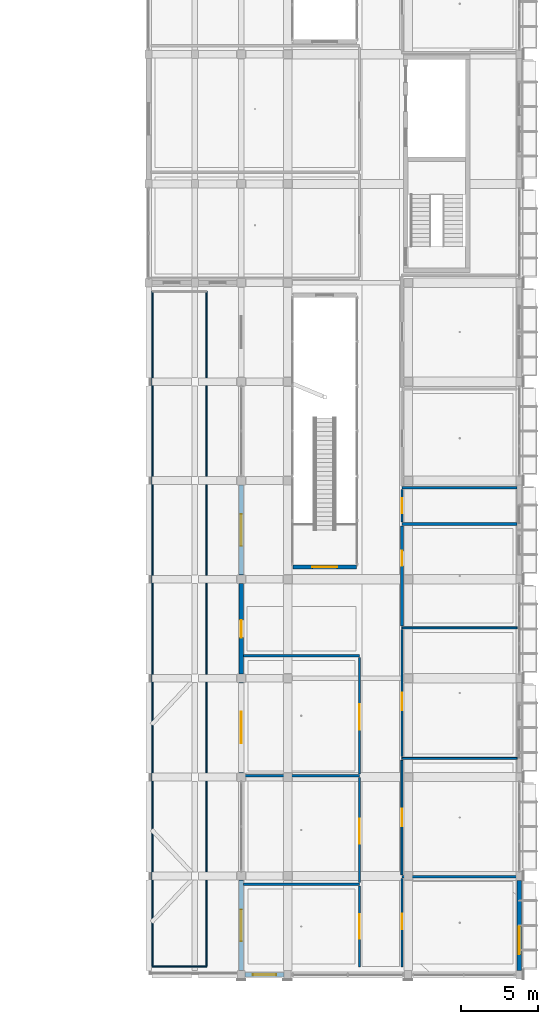
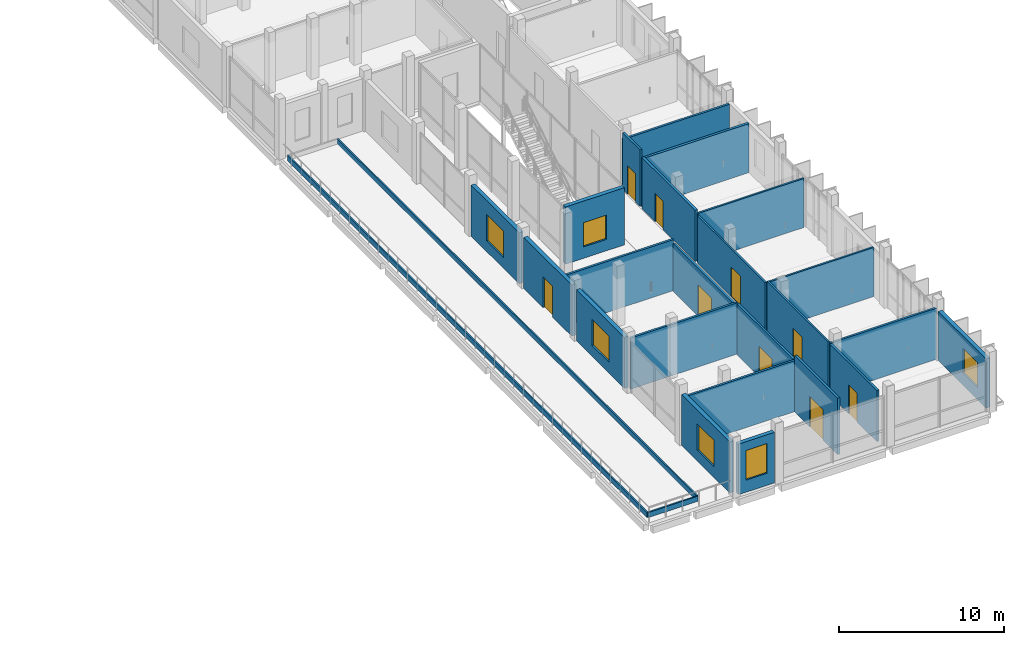
# One storey, part 61 of 95: 26 walls, 9 doors, 6 windows, 15 openings.
"""IFC4 building model written with IfcOpenShell, lengths in metres."""

from ifc_helpers import new_model, si_unit, derived_unit, direction, frame, frame_2d, origin, origin_with_axes, place, context, subcontext, project, spatial, rectangle, extrude, material, layer, layer_set, type_object, element, fill, save


model = new_model("IFC4")

# Units and contexts
model_context = context("Model", 3, precision=1e-05, world=origin(), true_north=direction((0.0, 1.0)))
body_context = subcontext(model_context, "Body", "Model", "MODEL_VIEW")
ifc_project = project(units=[si_unit("LENGTHUNIT", "METRE"), si_unit("AREAUNIT", "SQUARE_METRE"), si_unit("VOLUMEUNIT", "CUBIC_METRE"), si_unit("PLANEANGLEUNIT", "RADIAN"), si_unit("MASSUNIT", "GRAM", prefix="KILO"), derived_unit("THERMALTRANSMITTANCEUNIT", [(si_unit("POWERUNIT", "WATT"), 1), (si_unit("LENGTHUNIT", "METRE"), -2), (si_unit("THERMODYNAMICTEMPERATUREUNIT", "KELVIN"), -1)])], contexts=[model_context])

# Site, building, storey
site_placement = place(None, origin())
site = spatial("IfcSite", under=ifc_project, at=site_placement, CompositionType="ELEMENT")
building_placement = place(site_placement, origin())
building = spatial("IfcBuilding", under=site, at=building_placement, Name="Braskholm Square Health Centre", CompositionType="ELEMENT")
storey_placement = place(building_placement, frame((0.0, 0.0, 4.800048828125)))
storey = spatial("IfcBuildingStorey", under=building, at=storey_placement, Name="L02", CompositionType="ELEMENT", Elevation=4.800048828125)

# Wall, opening, door
ifc_material_1 = material(Name="Fire-rated gypsum board barrier")
ifc_layer_1 = layer(ifc_material_1, 0.175048828125)
ifc_layer_set_1 = layer_set([ifc_layer_1], Name="Fire-rated gypsum board barrier")
wall_type_1 = type_object("IfcWallType", Name="AmbulatoryFirePartition175", PredefinedType="PARTITIONING", material=ifc_layer_set_1)
wall_1_placement = place(storey_placement, frame((156.199951171875, 26.780029296875, 0.0), z_axis=(0.0, 0.0, 1.0), x_axis=(0.0, 1.0, 0.0)))
wall_1 = element("IfcWall", 1, at=wall_1_placement, inside=storey, type_object=wall_type_1, Name="Interior partition PWALL-L02-0341", PredefinedType="PARTITIONING", context=body_context, shape_type="SweptSolid", body=[
    extrude(rectangle(XDim=6.489990234375, YDim=0.175048828125, at=frame_2d((3.2451171875, 0.0))), origin(), (0.0, 0.0, 1.0), 3.794921875),
])
opening_1_placement = place(wall_1_placement, frame((3.888916015625, 0.0, 0.0)))
opening_1 = element("IfcOpeningElement", 2, at=opening_1_placement, cuts=wall_1, Name="Opening D-10", PredefinedType="OPENING", context=body_context, shape_type="SweptSolid", body=[
    extrude(rectangle(XDim=0.97998046875, YDim=2.1201171875, at=frame_2d((0.489990234375, 1.06005859375))), frame((0.0, 0.09765625, 0.0), z_axis=(0.0, -1.0, 0.0), x_axis=(1.0, 0.0, 0.0)), (0.0, 0.0, 1.0), 0.195068359375),
])
ifc_material_2 = material(Name="Architectural bronze anodised aluminium", Category="aluminium")
door_type_1 = type_object("IfcDoorType", Name="DoorUtilityStore980x2120", OperationType="NOTDEFINED", PredefinedType="DOOR", material=ifc_material_2)
door_1_placement = place(opening_1_placement, frame((0.97998046875, 0.0, 0.0), z_axis=(0.0, 0.0, 1.0), x_axis=(-1.0, 0.0, 0.0)))
door_1 = element("IfcDoor", 3, at=door_1_placement, inside=storey, type_object=door_type_1, Name="Interior door 0159 L02", OperationType="SINGLE_SWING_RIGHT", OverallHeight=2.1201171875, OverallWidth=0.97998046875, PredefinedType="DOOR", context=body_context, shape_type="SweptSolid", body=[
    extrude(rectangle(XDim=0.97998046875, YDim=2.1201171875, at=frame_2d((0.489990234375, 1.06005859375))), frame((0.0, 0.02490234375, 0.0), z_axis=(0.0, -1.0, 0.0), x_axis=(1.0, 0.0, 0.0)), (0.0, 0.0, 1.0), 0.050048828125),
])
fill(opening_1, door_1)

# Wall
wall_2_placement = place(storey_placement, frame((156.199951171875, 33.389892578125, 0.0), z_axis=(0.0, 0.0, 1.0), x_axis=(1.0, 0.0, 0.0)))
element("IfcWall", 4, at=wall_2_placement, inside=storey, type_object=wall_type_1, Name="Interior partition PWALL-L02-0342", PredefinedType="PARTITIONING", context=body_context, shape_type="SweptSolid", body=[
    extrude(rectangle(XDim=7.4599609375, YDim=0.175048828125, at=frame_2d((3.72998046875, 0.0))), origin(), (0.0, 0.0, 1.0), 3.64501953125),
])

# Wall, opening, door
ifc_material_3 = material(Name="Acoustic gypsum board partition")
ifc_layer_2 = layer(ifc_material_3, 0.125)
ifc_layer_set_2 = layer_set([ifc_layer_2], Name="Acoustic gypsum board partition")
wall_type_2 = type_object("IfcWallType", Name="ClinicalExamPartition125", PredefinedType="PARTITIONING", material=ifc_layer_set_2)
wall_3_placement = place(storey_placement, frame((156.199951171875, 10.669921875, 0.0), z_axis=(0.0, 0.0, 1.0), x_axis=(0.0, 1.0, 0.0)))
wall_3 = element("IfcWall", 5, at=wall_3_placement, inside=storey, type_object=wall_type_2, Name="Interior partition PWALL-L02-0337", PredefinedType="PARTITIONING", context=body_context, shape_type="SweptSolid", body=[
    extrude(rectangle(XDim=7.420166015625, YDim=0.125, at=frame_2d((3.7099609375, 0.0))), origin(), (0.0, 0.0, 1.0), 3.794921875),
])
opening_2_placement = place(wall_3_placement, frame((3.139892578125, 0.0, 0.0)))
opening_2 = element("IfcOpeningElement", 6, at=opening_2_placement, cuts=wall_3, Name="Opening D-26", PredefinedType="OPENING", context=body_context, shape_type="SweptSolid", body=[
    extrude(rectangle(XDim=1.139892578125, YDim=2.219970703125, at=frame_2d((0.56982421875, 1.10986328125))), frame((0.0, 0.072509765625, 0.0), z_axis=(0.0, -1.0, 0.0), x_axis=(1.0, 0.0, 0.0)), (0.0, 0.0, 1.0), 0.14501953125),
])
door_type_2 = type_object("IfcDoorType", Name="DoorExamWide1140x2220", OperationType="NOTDEFINED", PredefinedType="DOOR", material=ifc_material_2)
door_2_placement = place(opening_2_placement, frame((1.139892578125, 0.0, 0.0), z_axis=(0.0, 0.0, 1.0), x_axis=(-1.0, 0.0, 0.0)))
door_2 = element("IfcDoor", 7, at=door_2_placement, inside=storey, type_object=door_type_2, Name="Interior door 0157 L02", OperationType="SINGLE_SWING_RIGHT", OverallHeight=2.219970703125, OverallWidth=1.139892578125, PredefinedType="DOOR", context=body_context, shape_type="SweptSolid", body=[
    extrude(rectangle(XDim=1.139892578125, YDim=2.219970703125, at=frame_2d((0.56982421875, 1.10986328125))), frame((0.0, 0.02490234375, 0.0), z_axis=(0.0, -1.0, 0.0), x_axis=(1.0, 0.0, 0.0)), (0.0, 0.0, 1.0), 0.050048828125),
])
fill(opening_2, door_2)

# Wall
wall_4_placement = place(storey_placement, frame((156.199951171875, 18.2099609375, 0.0), z_axis=(0.0, 0.0, 1.0), x_axis=(1.0, 0.0, 0.0)))
element("IfcWall", 8, at=wall_4_placement, inside=storey, type_object=wall_type_2, Name="Interior partition PWALL-L02-0338", PredefinedType="PARTITIONING", context=body_context, shape_type="SweptSolid", body=[
    extrude(rectangle(XDim=7.4599609375, YDim=0.125, at=frame_2d((3.72998046875, 0.0))), origin(), (0.0, 0.0, 1.0), 3.64501953125),
])

# Wall, opening, door
wall_5_placement = place(storey_placement, frame((156.199951171875, 18.330078125, 0.0), z_axis=(0.0, 0.0, 1.0), x_axis=(0.0, 1.0, 0.0)))
wall_5 = element("IfcWall", 9, at=wall_5_placement, inside=storey, type_object=wall_type_2, Name="Interior partition PWALL-L02-0339", PredefinedType="PARTITIONING", context=body_context, shape_type="SweptSolid", body=[
    extrude(rectangle(XDim=8.2099609375, YDim=0.125, at=frame_2d((4.10498046875, 0.0))), origin(), (0.0, 0.0, 1.0), 3.544921875),
])
opening_3_placement = place(wall_5_placement, frame((3.010009765625, 0.0, 0.0)))
opening_3 = element("IfcOpeningElement", 10, at=opening_3_placement, cuts=wall_5, Name="Opening D-03", PredefinedType="OPENING", context=body_context, shape_type="SweptSolid", body=[
    extrude(rectangle(XDim=1.1201171875, YDim=2.199951171875, at=frame_2d((0.56005859375, 1.10009765625))), frame((0.0, 0.072509765625, 0.0), z_axis=(0.0, -1.0, 0.0), x_axis=(1.0, 0.0, 0.0)), (0.0, 0.0, 1.0), 0.14501953125),
])
door_type_3 = type_object("IfcDoorType", Name="DoorProcedure1120x2200", OperationType="NOTDEFINED", PredefinedType="DOOR", material=ifc_material_2)
door_3_placement = place(opening_3_placement, frame((1.1201171875, 0.0, 0.0), z_axis=(0.0, 0.0, 1.0), x_axis=(-1.0, 0.0, 0.0)))
door_3 = element("IfcDoor", 11, at=door_3_placement, inside=storey, type_object=door_type_3, Name="Interior door 0158 L02", OperationType="SINGLE_SWING_LEFT", OverallHeight=2.199951171875, OverallWidth=1.1201171875, PredefinedType="DOOR", context=body_context, shape_type="SweptSolid", body=[
    extrude(rectangle(XDim=1.1201171875, YDim=2.199951171875, at=frame_2d((0.56005859375, 1.10009765625))), frame((0.0, 0.02490234375, 0.0), z_axis=(0.0, -1.0, 0.0), x_axis=(1.0, 0.0, 0.0)), (0.0, 0.0, 1.0), 0.050048828125),
])
fill(opening_3, door_3)

# Wall
wall_6_placement = place(storey_placement, frame((156.199951171875, 26.659912109375, 0.0), z_axis=(0.0, 0.0, 1.0), x_axis=(1.0, 0.0, 0.0)))
element("IfcWall", 12, at=wall_6_placement, inside=storey, type_object=wall_type_2, Name="Interior partition PWALL-L02-0340", PredefinedType="PARTITIONING", context=body_context, shape_type="SweptSolid", body=[
    extrude(rectangle(XDim=7.4599609375, YDim=0.125, at=frame_2d((3.72998046875, 0.0))), origin(), (0.0, 0.0, 1.0), 3.64501953125),
])

# Wall, opening, door
ifc_layer_3 = layer(ifc_material_3, 0.14990234375)
ifc_layer_set_3 = layer_set([ifc_layer_3], Name="Acoustic gypsum board partition")
wall_type_3 = type_object("IfcWallType", Name="CorridorAcousticPartition150", PredefinedType="PARTITIONING", material=ifc_layer_set_3)
wall_7_placement = place(storey_placement, frame((156.199951171875, 4.719970703125, 0.0), z_axis=(0.0, 0.0, 1.0), x_axis=(0.0, 1.0, 0.0)))
wall_7 = element("IfcWall", 13, at=wall_7_placement, inside=storey, type_object=wall_type_3, Name="Interior partition PWALL-L02-0335", PredefinedType="PARTITIONING", context=body_context, shape_type="SweptSolid", body=[
    extrude(rectangle(XDim=5.7099609375, YDim=0.14990234375, at=frame_2d((2.85498046875, 0.0))), origin(), (0.0, 0.0, 1.0), 3.794921875),
])
opening_4_placement = place(wall_7_placement, frame((2.43310546875, 0.0, 0.0)))
opening_4 = element("IfcOpeningElement", 14, at=opening_4_placement, cuts=wall_7, Name="Opening D-02", PredefinedType="OPENING", context=body_context, shape_type="SweptSolid", body=[
    extrude(rectangle(XDim=1.0, YDim=2.14990234375, at=frame_2d((0.5, 1.074951171875))), frame((0.0, 0.0849609375, 0.0), z_axis=(0.0, -1.0, 0.0), x_axis=(1.0, 0.0, 0.0)), (0.0, 0.0, 1.0), 0.169921875),
])
door_type_4 = type_object("IfcDoorType", Name="DoorExamSingle1000x2150", OperationType="NOTDEFINED", PredefinedType="DOOR", material=ifc_material_2)
door_4_placement = place(opening_4_placement, frame((1.0, 0.0, 0.0), z_axis=(0.0, 0.0, 1.0), x_axis=(-1.0, 0.0, 0.0)))
door_4 = element("IfcDoor", 15, at=door_4_placement, inside=storey, type_object=door_type_4, Name="Interior door 0156 L02", OperationType="SINGLE_SWING_LEFT", OverallHeight=2.14990234375, OverallWidth=1.0, PredefinedType="DOOR", context=body_context, shape_type="SweptSolid", body=[
    extrude(rectangle(XDim=1.0, YDim=2.14990234375, at=frame_2d((0.5, 1.074951171875))), frame((0.0, 0.02490234375, 0.0), z_axis=(0.0, -1.0, 0.0), x_axis=(1.0, 0.0, 0.0)), (0.0, 0.0, 1.0), 0.050048828125),
])
fill(opening_4, door_4)

# Wall
wall_8_placement = place(storey_placement, frame((156.199951171875, 10.550048828125, 0.0), z_axis=(0.0, 0.0, 1.0), x_axis=(1.0, 0.0, 0.0)))
element("IfcWall", 16, at=wall_8_placement, inside=storey, type_object=wall_type_3, Name="Interior partition PWALL-L02-0336", PredefinedType="PARTITIONING", context=body_context, shape_type="SweptSolid", body=[
    extrude(rectangle(XDim=7.4599609375, YDim=0.14990234375, at=frame_2d((3.72998046875, 0.0))), origin(), (0.0, 0.0, 1.0), 3.794921875),
])

# Wall, opening, door
wall_9_placement = place(storey_placement, frame((156.199951171875, 33.510009765625, 0.0), z_axis=(0.0, 0.0, 1.0), x_axis=(0.0, 1.0, 0.0)))
wall_9 = element("IfcWall", 17, at=wall_9_placement, inside=storey, type_object=wall_type_3, Name="Interior partition PWALL-L02-0343", PredefinedType="PARTITIONING", context=body_context, shape_type="SweptSolid", body=[
    extrude(rectangle(XDim=2.110107421875, YDim=0.14990234375, at=frame_2d((1.05517578125, 0.0))), origin(), (0.0, 0.0, 1.0), 4.195068359375),
])
opening_5_placement = place(wall_9_placement, frame((0.574951171875, 0.0, 0.0)))
opening_5 = element("IfcOpeningElement", 18, at=opening_5_placement, cuts=wall_9, Name="Opening D-05", PredefinedType="OPENING", context=body_context, shape_type="SweptSolid", body=[
    extrude(rectangle(XDim=0.9599609375, YDim=2.10009765625, at=frame_2d((0.47998046875, 1.050048828125))), frame((0.0, 0.0849609375, 0.0), z_axis=(0.0, -1.0, 0.0), x_axis=(1.0, 0.0, 0.0)), (0.0, 0.0, 1.0), 0.169921875),
])
door_type_5 = type_object("IfcDoorType", Name="DoorAccessibleWC960x2100", OperationType="NOTDEFINED", PredefinedType="DOOR", material=ifc_material_2)
door_5_placement = place(opening_5_placement, frame((0.9599609375, 0.0, 0.0), z_axis=(0.0, 0.0, 1.0), x_axis=(-1.0, 0.0, 0.0)))
door_5 = element("IfcDoor", 19, at=door_5_placement, inside=storey, type_object=door_type_5, Name="Interior door 0160 L02", OperationType="SINGLE_SWING_LEFT", OverallHeight=2.10009765625, OverallWidth=0.9599609375, PredefinedType="DOOR", context=body_context, shape_type="SweptSolid", body=[
    extrude(rectangle(XDim=0.9599609375, YDim=2.10009765625, at=frame_2d((0.47998046875, 1.050048828125))), frame((0.0, 0.02490234375, 0.0), z_axis=(0.0, -1.0, 0.0), x_axis=(1.0, 0.0, 0.0)), (0.0, 0.0, 1.0), 0.050048828125),
])
fill(opening_5, door_5)

# Wall
wall_10_placement = place(storey_placement, frame((156.199951171875, 35.739990234375, 0.0), z_axis=(0.0, 0.0, 1.0), x_axis=(1.0, 0.0, 0.0)))
element("IfcWall", 20, at=wall_10_placement, inside=storey, type_object=wall_type_3, Name="Interior partition PWALL-L02-0344", PredefinedType="PARTITIONING", context=body_context, shape_type="SweptSolid", body=[
    extrude(rectangle(XDim=7.4599609375, YDim=0.14990234375, at=frame_2d((3.72998046875, 0.0))), origin(), (0.0, 0.0, 1.0), 3.64501953125),
])

# Wall, opening, door
wall_11_placement = place(storey_placement, frame((153.449951171875, 4.719970703125, 0.0), z_axis=(0.0, 0.0, 1.0), x_axis=(0.0, 1.0, 0.0)))
wall_11 = element("IfcWall", 21, at=wall_11_placement, inside=storey, type_object=wall_type_3, Name="Interior partition PWALL-L02-0366", PredefinedType="PARTITIONING", context=body_context, shape_type="SweptSolid", body=[
    extrude(rectangle(XDim=5.219970703125, YDim=0.14990234375, at=frame_2d((2.60986328125, 0.0))), origin(), (0.0, 0.0, 1.0), 4.195068359375),
])
opening_6_placement = place(wall_11_placement, frame((1.81005859375, 0.0, 0.0)))
opening_6 = element("IfcOpeningElement", 22, at=opening_6_placement, cuts=wall_11, Name="Opening D-11", PredefinedType="OPENING", context=body_context, shape_type="SweptSolid", body=[
    extrude(rectangle(XDim=1.60009765625, YDim=2.25, at=frame_2d((0.800048828125, 1.125))), frame((0.0, 0.0849609375, 0.0), z_axis=(0.0, -1.0, 0.0), x_axis=(1.0, 0.0, 0.0)), (0.0, 0.0, 1.0), 0.169921875),
])
door_type_6 = type_object("IfcDoorType", Name="DoorClassroomDouble1600x2250", OperationType="DOUBLE_DOOR_SINGLE_SWING", PredefinedType="DOOR", material=ifc_material_2)
door_6_placement = place(opening_6_placement, origin_with_axes())
door_6 = element("IfcDoor", 23, at=door_6_placement, inside=storey, type_object=door_type_6, Name="Interior door 0172 L02", OperationType="DOUBLE_DOOR_SINGLE_SWING", OverallHeight=2.25, OverallWidth=1.60009765625, PredefinedType="DOOR", context=body_context, shape_type="SweptSolid", body=[
    extrude(rectangle(XDim=1.60009765625, YDim=2.25, at=frame_2d((0.800048828125, 1.125))), frame((0.0, 0.02490234375, 0.0), z_axis=(0.0, -1.0, 0.0), x_axis=(1.0, 0.0, 0.0)), (0.0, 0.0, 1.0), 0.050048828125),
])
fill(opening_6, door_6)

# Wall
wall_12_placement = place(storey_placement, frame((145.93994140625, 10.06005859375, 0.0), z_axis=(0.0, 0.0, 1.0), x_axis=(1.0, 0.0, 0.0)))
element("IfcWall", 24, at=wall_12_placement, inside=storey, type_object=wall_type_3, Name="Interior partition PWALL-L02-0367", PredefinedType="PARTITIONING", context=body_context, shape_type="SweptSolid", body=[
    extrude(rectangle(XDim=7.510009765625, YDim=0.14990234375, at=frame_2d((3.7548828125, 0.0))), origin(), (0.0, 0.0, 1.0), 3.784912109375),
])

# Wall, opening, door
wall_13_placement = place(storey_placement, frame((153.449951171875, 10.179931640625, 0.0), z_axis=(0.0, 0.0, 1.0), x_axis=(0.0, 1.0, 0.0)))
wall_13 = element("IfcWall", 25, at=wall_13_placement, inside=storey, type_object=wall_type_3, Name="Interior partition PWALL-L02-0368", PredefinedType="PARTITIONING", context=body_context, shape_type="SweptSolid", body=[
    extrude(rectangle(XDim=6.7900390625, YDim=0.14990234375, at=frame_2d((3.39501953125, 0.0))), origin(), (0.0, 0.0, 1.0), 3.794921875),
])
opening_7_placement = place(wall_13_placement, frame((2.52001953125, 0.0, 0.0)))
opening_7 = element("IfcOpeningElement", 26, at=opening_7_placement, cuts=wall_13, Name="Opening D-11", PredefinedType="OPENING", context=body_context, shape_type="SweptSolid", body=[
    extrude(rectangle(XDim=1.60009765625, YDim=2.25, at=frame_2d((0.800048828125, 1.125))), frame((0.0, 0.0849609375, 0.0), z_axis=(0.0, -1.0, 0.0), x_axis=(1.0, 0.0, 0.0)), (0.0, 0.0, 1.0), 0.169921875),
])
door_7_placement = place(opening_7_placement, origin_with_axes())
door_7 = element("IfcDoor", 27, at=door_7_placement, inside=storey, type_object=door_type_6, Name="Interior door 0173 L02", OperationType="DOUBLE_DOOR_SINGLE_SWING", OverallHeight=2.25, OverallWidth=1.60009765625, PredefinedType="DOOR", context=body_context, shape_type="SweptSolid", body=[
    extrude(rectangle(XDim=1.60009765625, YDim=2.25, at=frame_2d((0.800048828125, 1.125))), frame((0.0, 0.02490234375, 0.0), z_axis=(0.0, -1.0, 0.0), x_axis=(1.0, 0.0, 0.0)), (0.0, 0.0, 1.0), 0.050048828125),
])
fill(opening_7, door_7)

# Wall
wall_14_placement = place(storey_placement, frame((145.93994140625, 17.090087890625, 0.0), z_axis=(0.0, 0.0, 1.0), x_axis=(1.0, 0.0, 0.0)))
element("IfcWall", 28, at=wall_14_placement, inside=storey, type_object=wall_type_3, Name="Interior partition PWALL-L02-0369", PredefinedType="PARTITIONING", context=body_context, shape_type="SweptSolid", body=[
    extrude(rectangle(XDim=7.510009765625, YDim=0.14990234375, at=frame_2d((3.7548828125, 0.0))), origin(), (0.0, 0.0, 1.0), 3.794921875),
])

# Wall, opening, door
wall_15_placement = place(storey_placement, frame((153.449951171875, 17.2099609375, 0.0), z_axis=(0.0, 0.0, 1.0), x_axis=(0.0, 1.0, 0.0)))
wall_15 = element("IfcWall", 29, at=wall_15_placement, inside=storey, type_object=wall_type_3, Name="Interior partition PWALL-L02-0370", PredefinedType="PARTITIONING", context=body_context, shape_type="SweptSolid", body=[
    extrude(rectangle(XDim=7.52001953125, YDim=0.14990234375, at=frame_2d((3.760009765625, 0.0))), origin(), (0.0, 0.0, 1.0), 3.544921875),
])
opening_8_placement = place(wall_15_placement, frame((2.863037109375, 0.0, 0.0)))
opening_8 = element("IfcOpeningElement", 30, at=opening_8_placement, cuts=wall_15, Name="Opening D-28", PredefinedType="OPENING", context=body_context, shape_type="SweptSolid", body=[
    extrude(rectangle(XDim=1.639892578125, YDim=2.320068359375, at=frame_2d((0.81982421875, 1.16015625))), frame((0.0, 0.0849609375, 0.0), z_axis=(0.0, -1.0, 0.0), x_axis=(1.0, 0.0, 0.0)), (0.0, 0.0, 1.0), 0.169921875),
])
door_type_7 = type_object("IfcDoorType", Name="DoorSuiteDouble1640x2320", OperationType="DOUBLE_DOOR_SINGLE_SWING", PredefinedType="DOOR", material=ifc_material_2)
door_8_placement = place(opening_8_placement, origin_with_axes())
door_8 = element("IfcDoor", 31, at=door_8_placement, inside=storey, type_object=door_type_7, Name="Interior door 0174 L02", OperationType="DOUBLE_DOOR_SINGLE_SWING", OverallHeight=2.320068359375, OverallWidth=1.639892578125, PredefinedType="DOOR", context=body_context, shape_type="SweptSolid", body=[
    extrude(rectangle(XDim=1.639892578125, YDim=2.320068359375, at=frame_2d((0.81982421875, 1.16015625))), frame((0.0, 0.02490234375, 0.0), z_axis=(0.0, -1.0, 0.0), x_axis=(1.0, 0.0, 0.0)), (0.0, 0.0, 1.0), 0.050048828125),
])
fill(opening_8, door_8)

# Wall
wall_16_placement = place(storey_placement, frame((145.93994140625, 24.85009765625, 0.0), z_axis=(0.0, 0.0, 1.0), x_axis=(1.0, 0.0, 0.0)))
element("IfcWall", 32, at=wall_16_placement, inside=storey, type_object=wall_type_3, Name="Interior partition PWALL-L02-0371", PredefinedType="PARTITIONING", context=body_context, shape_type="SweptSolid", body=[
    extrude(rectangle(XDim=7.510009765625, YDim=0.14990234375, at=frame_2d((3.7548828125, 0.0))), origin(), (0.0, 0.0, 1.0), 3.784912109375),
])

# Wall, opening, window
ifc_material_4 = material(Name="Precast concrete C40/50 architectural white", Category="concrete")
ifc_layer_4 = layer(ifc_material_4, 0.280029296875)
ifc_layer_set_4 = layer_set([ifc_layer_4], Name="Precast concrete C40/50 architectural white")
wall_type_4 = type_object("IfcWallType", Name="ExteriorPrecastSpandrelWall280", PredefinedType="SOLIDWALL", material=ifc_layer_set_4)
wall_17_placement = place(storey_placement, frame((163.800048828125, 4.48193359375, 0.0), z_axis=(0.0, 0.0, 1.0), x_axis=(0.0, 1.0, 0.0)))
wall_17 = element("IfcWall", 33, at=wall_17_placement, inside=storey, type_object=wall_type_4, Name="Exterior wall EWALL-L02-0062", PredefinedType="SOLIDWALL", context=body_context, shape_type="SweptSolid", body=[
    extrude(rectangle(XDim=5.836181640625, YDim=0.280029296875, at=frame_2d((2.91796875, 0.0))), origin(), (0.0, 0.0, 1.0), 3.64990234375),
])
opening_9_placement = place(wall_17_placement, frame((1.044921875, 0.0, 0.8798828125)))
opening_9 = element("IfcOpeningElement", 34, at=opening_9_placement, cuts=wall_17, Name="Opening WN-11", PredefinedType="OPENING", context=body_context, shape_type="SweptSolid", body=[
    extrude(rectangle(XDim=1.800048828125, YDim=1.85009765625, at=frame_2d((0.89990234375, 0.925048828125))), frame((0.0, 0.14990234375, 0.0), z_axis=(0.0, -1.0, 0.0), x_axis=(1.0, 0.0, 0.0)), (0.0, 0.0, 1.0), 0.300048828125),
])
ifc_material_5 = material(Name="Low-E triple insulating glass (VLT 0.64)", Category="glass")
window_type_1 = type_object("IfcWindowType", Name="WinClinicalBay1800x1850", PartitioningType="SINGLE_PANEL", PredefinedType="WINDOW", material=ifc_material_5)
window_1_placement = place(opening_9_placement, origin_with_axes())
window_1 = element("IfcWindow", 35, at=window_1_placement, inside=storey, type_object=window_type_1, Name="Exterior window 0106 L02", OverallHeight=1.85009765625, OverallWidth=1.800048828125, PartitioningType="SINGLE_PANEL", PredefinedType="WINDOW", context=body_context, shape_type="SweptSolid", body=[
    extrude(rectangle(XDim=1.800048828125, YDim=1.85009765625, at=frame_2d((0.89990234375, 0.925048828125))), frame((0.0, 0.030029296875, 0.0), z_axis=(0.0, -1.0, 0.0), x_axis=(1.0, 0.0, 0.0)), (0.0, 0.0, 1.0), 0.06005859375),
])
fill(opening_9, window_1)

wall_18_placement = place(storey_placement, frame((145.800048828125, 10.322998046875, 0.0), z_axis=(0.0, 0.0, 1.0), x_axis=(0.0, -1.0, 0.0)))
wall_18 = element("IfcWall", 36, at=wall_18_placement, inside=storey, type_object=wall_type_4, Name="Exterior wall EWALL-L02-0172", PredefinedType="SOLIDWALL", context=body_context, shape_type="SweptSolid", body=[
    extrude(rectangle(XDim=5.841064453125, YDim=0.280029296875, at=frame_2d((2.92041015625, 0.0))), origin(), (0.0, 0.0, 1.0), 3.7900390625),
])
opening_10_placement = place(wall_18_placement, frame((1.89599609375, 0.0, 0.800048828125)))
opening_10 = element("IfcOpeningElement", 37, at=opening_10_placement, cuts=wall_18, Name="Opening WN-25", PredefinedType="OPENING", context=body_context, shape_type="SweptSolid", body=[
    extrude(rectangle(XDim=2.050048828125, YDim=1.949951171875, at=frame_2d((1.02490234375, 0.97509765625))), frame((0.0, 0.14990234375, 0.0), z_axis=(0.0, -1.0, 0.0), x_axis=(1.0, 0.0, 0.0)), (0.0, 0.0, 1.0), 0.300048828125),
])
window_type_2 = type_object("IfcWindowType", Name="WinValleyTerrace2050x1950", PartitioningType="SINGLE_PANEL", PredefinedType="WINDOW", material=ifc_material_5)
window_2_placement = place(opening_10_placement, origin_with_axes())
window_2 = element("IfcWindow", 38, at=window_2_placement, inside=storey, type_object=window_type_2, Name="Exterior window 0235 L02", OverallHeight=1.949951171875, OverallWidth=2.050048828125, PartitioningType="SINGLE_PANEL", PredefinedType="WINDOW", context=body_context, shape_type="SweptSolid", body=[
    extrude(rectangle(XDim=2.050048828125, YDim=1.949951171875, at=frame_2d((1.02490234375, 0.97509765625))), frame((0.0, 0.030029296875, 0.0), z_axis=(0.0, -1.0, 0.0), x_axis=(1.0, 0.0, 0.0)), (0.0, 0.0, 1.0), 0.06005859375),
])
fill(opening_10, window_2)

wall_19_placement = place(storey_placement, frame((145.800048828125, 23.123046875, 0.0), z_axis=(0.0, 0.0, 1.0), x_axis=(0.0, -1.0, 0.0)))
wall_19 = element("IfcWall", 39, at=wall_19_placement, inside=storey, type_object=wall_type_4, Name="Exterior wall EWALL-L02-0173", PredefinedType="SOLIDWALL", context=body_context, shape_type="SweptSolid", body=[
    extrude(rectangle(XDim=5.845947265625, YDim=0.280029296875, at=frame_2d((2.9228515625, 0.0))), origin(), (0.0, 0.0, 1.0), 3.7900390625),
])
opening_11_placement = place(wall_19_placement, frame((1.89794921875, 0.0, 0.800048828125)))
opening_11 = element("IfcOpeningElement", 40, at=opening_11_placement, cuts=wall_19, Name="Opening WN-25", PredefinedType="OPENING", context=body_context, shape_type="SweptSolid", body=[
    extrude(rectangle(XDim=2.050048828125, YDim=1.949951171875, at=frame_2d((1.02490234375, 0.97509765625))), frame((0.0, 0.14990234375, 0.0), z_axis=(0.0, -1.0, 0.0), x_axis=(1.0, 0.0, 0.0)), (0.0, 0.0, 1.0), 0.300048828125),
])
window_3_placement = place(opening_11_placement, origin_with_axes())
window_3 = element("IfcWindow", 41, at=window_3_placement, inside=storey, type_object=window_type_2, Name="Exterior window 0236 L02", OverallHeight=1.949951171875, OverallWidth=2.050048828125, PartitioningType="SINGLE_PANEL", PredefinedType="WINDOW", context=body_context, shape_type="SweptSolid", body=[
    extrude(rectangle(XDim=2.050048828125, YDim=1.949951171875, at=frame_2d((1.02490234375, 0.97509765625))), frame((0.0, 0.030029296875, 0.0), z_axis=(0.0, -1.0, 0.0), x_axis=(1.0, 0.0, 0.0)), (0.0, 0.0, 1.0), 0.06005859375),
])
fill(opening_11, window_3)

# Wall, opening, door
wall_20_placement = place(storey_placement, frame((145.800048828125, 29.52294921875, 0.0), z_axis=(0.0, 0.0, 1.0), x_axis=(0.0, -1.0, 0.0)))
wall_20 = element("IfcWall", 42, at=wall_20_placement, inside=storey, type_object=wall_type_4, Name="Exterior wall EWALL-L02-0174", PredefinedType="SOLIDWALL", context=body_context, shape_type="SweptSolid", body=[
    extrude(rectangle(XDim=5.845947265625, YDim=0.280029296875, at=frame_2d((2.9228515625, 0.0))), origin(), (0.0, 0.0, 1.0), 3.7900390625),
])
opening_12_placement = place(wall_20_placement, frame((2.35302734375, 0.0, 0.0)))
opening_12 = element("IfcOpeningElement", 43, at=opening_12_placement, cuts=wall_20, Name="Opening D-T1", PredefinedType="OPENING", context=body_context, shape_type="SweptSolid", body=[
    extrude(rectangle(XDim=1.139892578125, YDim=2.300048828125, at=frame_2d((0.56982421875, 1.14990234375))), frame((0.0, 0.14990234375, 0.0), z_axis=(0.0, -1.0, 0.0), x_axis=(1.0, 0.0, 0.0)), (0.0, 0.0, 1.0), 0.300048828125),
])
door_type_8 = type_object("IfcDoorType", Name="DoorPlantedTerrace1140x2300", OperationType="NOTDEFINED", PredefinedType="DOOR", material=ifc_material_5)
door_9_placement = place(opening_12_placement, frame((1.139892578125, 0.0, 0.0), z_axis=(0.0, 0.0, 1.0), x_axis=(-1.0, 0.0, 0.0)))
door_9 = element("IfcDoor", 44, at=door_9_placement, inside=storey, type_object=door_type_8, Name="Exterior door 0024 L02", OperationType="SINGLE_SWING_RIGHT", OverallHeight=2.300048828125, OverallWidth=1.139892578125, PredefinedType="DOOR", context=body_context, shape_type="SweptSolid", body=[
    extrude(rectangle(XDim=1.139892578125, YDim=2.300048828125, at=frame_2d((0.56982421875, 1.14990234375))), frame((0.0, 0.02490234375, 0.0), z_axis=(0.0, -1.0, 0.0), x_axis=(1.0, 0.0, 0.0)), (0.0, 0.0, 1.0), 0.050048828125),
])
fill(opening_12, door_9)

# Wall, opening, window
wall_21_placement = place(storey_placement, frame((145.800048828125, 35.923095703125, 0.0), z_axis=(0.0, 0.0, 1.0), x_axis=(0.0, -1.0, 0.0)))
wall_21 = element("IfcWall", 45, at=wall_21_placement, inside=storey, type_object=wall_type_4, Name="Exterior wall EWALL-L02-0175", PredefinedType="SOLIDWALL", context=body_context, shape_type="SweptSolid", body=[
    extrude(rectangle(XDim=5.84619140625, YDim=0.280029296875, at=frame_2d((2.923095703125, 0.0))), origin(), (0.0, 0.0, 1.0), 3.7900390625),
])
opening_13_placement = place(wall_21_placement, frame((1.89794921875, 0.0, 0.800048828125)))
opening_13 = element("IfcOpeningElement", 46, at=opening_13_placement, cuts=wall_21, Name="Opening WN-25", PredefinedType="OPENING", context=body_context, shape_type="SweptSolid", body=[
    extrude(rectangle(XDim=2.050048828125, YDim=1.949951171875, at=frame_2d((1.02490234375, 0.97509765625))), frame((0.0, 0.14990234375, 0.0), z_axis=(0.0, -1.0, 0.0), x_axis=(1.0, 0.0, 0.0)), (0.0, 0.0, 1.0), 0.300048828125),
])
window_4_placement = place(opening_13_placement, origin_with_axes())
window_4 = element("IfcWindow", 47, at=window_4_placement, inside=storey, type_object=window_type_2, Name="Exterior window 0237 L02", OverallHeight=1.949951171875, OverallWidth=2.050048828125, PartitioningType="SINGLE_PANEL", PredefinedType="WINDOW", context=body_context, shape_type="SweptSolid", body=[
    extrude(rectangle(XDim=2.050048828125, YDim=1.949951171875, at=frame_2d((1.02490234375, 0.97509765625))), frame((0.0, 0.030029296875, 0.0), z_axis=(0.0, -1.0, 0.0), x_axis=(1.0, 0.0, 0.0)), (0.0, 0.0, 1.0), 0.06005859375),
])
fill(opening_13, window_4)

wall_22_placement = place(storey_placement, frame((146.031982421875, 4.199951171875, 0.0), z_axis=(0.0, 0.0, 1.0), x_axis=(1.0, 0.0, 0.0)))
wall_22 = element("IfcWall", 48, at=wall_22_placement, inside=storey, type_object=wall_type_4, Name="Exterior wall EWALL-L02-0242", PredefinedType="SOLIDWALL", context=body_context, shape_type="SweptSolid", body=[
    extrude(rectangle(XDim=2.5361328125, YDim=0.280029296875, at=frame_2d((1.26806640625, 0.0))), origin(), (0.0, 0.0, 1.0), 3.75),
])
opening_14_placement = place(wall_22_placement, frame((0.51806640625, 0.0, 0.89990234375)))
opening_14 = element("IfcOpeningElement", 49, at=opening_14_placement, cuts=wall_22, Name="Opening WN-03", PredefinedType="OPENING", context=body_context, shape_type="SweptSolid", body=[
    extrude(rectangle(XDim=1.5, YDim=2.199951171875, at=frame_2d((0.75, 1.10009765625))), frame((0.0, 0.14990234375, 0.0), z_axis=(0.0, -1.0, 0.0), x_axis=(1.0, 0.0, 0.0)), (0.0, 0.0, 1.0), 0.300048828125),
])
window_type_3 = type_object("IfcWindowType", Name="WinArtDecoTwin1500x2200", PartitioningType="SINGLE_PANEL", PredefinedType="WINDOW", material=ifc_material_5)
window_5_placement = place(opening_14_placement, origin_with_axes())
window_5 = element("IfcWindow", 50, at=window_5_placement, inside=storey, type_object=window_type_3, Name="Exterior window 0294 L02", OverallHeight=2.199951171875, OverallWidth=1.5, PartitioningType="SINGLE_PANEL", PredefinedType="WINDOW", context=body_context, shape_type="SweptSolid", body=[
    extrude(rectangle(XDim=1.5, YDim=2.199951171875, at=frame_2d((0.75, 1.10009765625))), frame((0.0, 0.030029296875, 0.0), z_axis=(0.0, -1.0, 0.0), x_axis=(1.0, 0.0, 0.0)), (0.0, 0.0, 1.0), 0.06005859375),
])
fill(opening_14, window_5)

wall_23_placement = place(storey_placement, frame((153.26611328125, 30.60009765625, 0.0), z_axis=(0.0, 0.0, 1.0), x_axis=(-1.0, 0.0, 0.0)))
wall_23 = element("IfcWall", 51, at=wall_23_placement, inside=storey, type_object=wall_type_4, Name="Exterior wall EWALL-L02-0309", PredefinedType="SOLIDWALL", context=body_context, shape_type="SweptSolid", body=[
    extrude(rectangle(XDim=4.132080078125, YDim=0.280029296875, at=frame_2d((2.06591796875, 0.0))), origin(), (0.0, 0.0, 1.0), 4.25),
])
opening_15_placement = place(wall_23_placement, frame((1.26611328125, 0.0, 0.85009765625)))
opening_15 = element("IfcOpeningElement", 52, at=opening_15_placement, cuts=wall_23, Name="Opening WN-27", PredefinedType="OPENING", context=body_context, shape_type="SweptSolid", body=[
    extrude(rectangle(XDim=1.60009765625, YDim=1.800048828125, at=frame_2d((0.800048828125, 0.89990234375))), frame((0.0, 0.14990234375, 0.0), z_axis=(0.0, -1.0, 0.0), x_axis=(1.0, 0.0, 0.0)), (0.0, 0.0, 1.0), 0.300048828125),
])
window_type_4 = type_object("IfcWindowType", Name="WinLightCourt1600x1800", PartitioningType="SINGLE_PANEL", PredefinedType="WINDOW", material=ifc_material_5)
window_6_placement = place(opening_15_placement, origin_with_axes())
window_6 = element("IfcWindow", 53, at=window_6_placement, inside=storey, type_object=window_type_4, Name="Exterior window 0355 L02", OverallHeight=1.800048828125, OverallWidth=1.60009765625, PartitioningType="SINGLE_PANEL", PredefinedType="WINDOW", context=body_context, shape_type="SweptSolid", body=[
    extrude(rectangle(XDim=1.60009765625, YDim=1.800048828125, at=frame_2d((0.800048828125, 0.89990234375))), frame((0.0, 0.030029296875, 0.0), z_axis=(0.0, -1.0, 0.0), x_axis=(1.0, 0.0, 0.0)), (0.0, 0.0, 1.0), 0.06005859375),
])
fill(opening_15, window_6)

# Walls
ifc_layer_5 = layer(ifc_material_4, 0.10009765625)
ifc_layer_set_5 = layer_set([ifc_layer_5], Name="Precast concrete C40/50 architectural white")
wall_type_5 = type_object("IfcWallType", Name="SteppedPrecastParapet100", PredefinedType="PARAPET", material=ifc_layer_set_5)
wall_24_placement = place(storey_placement, frame((140.050048828125, 4.75, 0.0), z_axis=(0.0, 0.0, 1.0), x_axis=(1.0, 0.0, 0.0)))
element("IfcWall", 54, at=wall_24_placement, inside=storey, type_object=wall_type_5, Name="Stepped precast planter parapet 005", PredefinedType="PARAPET", context=body_context, shape_type="SweptSolid", body=[
    extrude(rectangle(XDim=3.5, YDim=0.10009765625, at=frame_2d((1.75, 0.0))), origin(), (0.0, 0.0, 1.0), 0.3798828125),
])
for number, where, z_axis, x_axis, name in (
    (55, (143.550048828125, 4.75, 0.0), (0.0, 0.0, 1.0), (0.0, 1.0, 0.0), "Stepped precast planter parapet 006"),
    (56, (140.050048828125, 48.449951171875, 0.0), (0.0, 0.0, 1.0), (0.0, -1.0, 0.0), "Stepped precast planter parapet 008"),
):
    element("IfcWall", number, at=place(storey_placement, frame(where, z_axis=z_axis, x_axis=x_axis)), inside=storey, type_object=wall_type_5, Name=name, PredefinedType="PARAPET", context=body_context, shape_type="SweptSolid", body=[
        extrude(rectangle(XDim=43.699951171875, YDim=0.10009765625, at=frame_2d((21.85009765625, 0.0))), origin(), (0.0, 0.0, 1.0), 0.3798828125),
    ])

save(model, "model.ifc")
